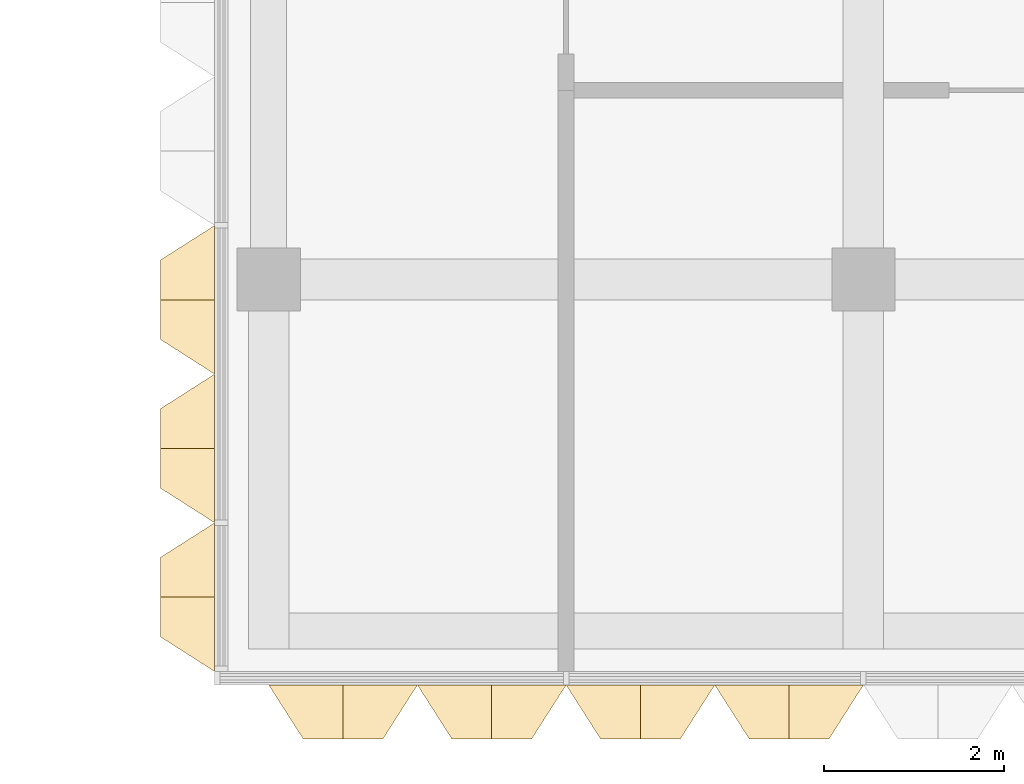
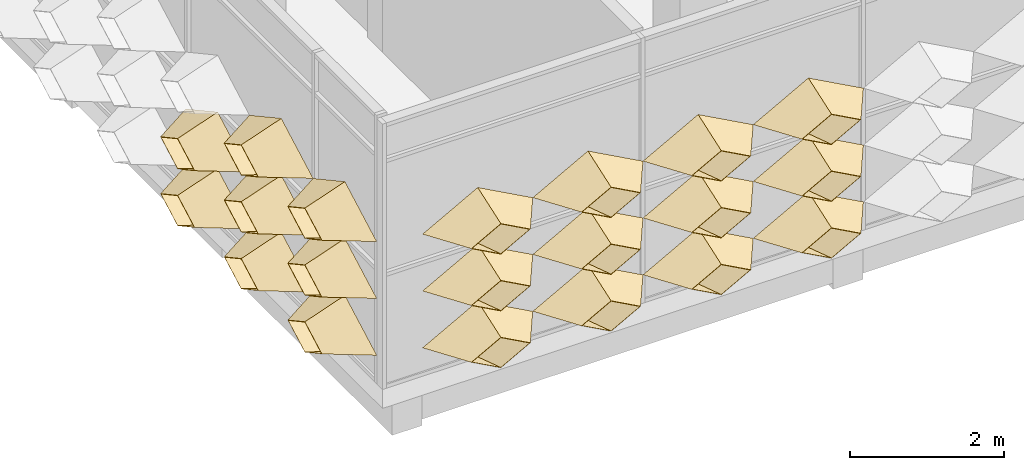
# One storey, part 31 of 61: 20 coverings.
"""IFC4 building model written with IfcOpenShell, lengths in metres."""

import ifcopenshell
import ifcopenshell.guid

model = None  # the IFC model being written
_history = None  # IfcOwnerHistory: only IFC2X3 demands one
_inside = {}  # id of a spatial element -> (the spatial element, [elements in it])
_under = {}  # id of a project, library or spatial element -> (it, [spatial elements below it])
_declared = {}  # id of a project -> (the project, [libraries it declares])
_typed = {}  # id of a type object -> (the type object, [elements of that type])
_made_of = {}  # id of a material, layer set ... -> (it, [elements and type objects made of it])


def new_model(schema):
    """Start an empty IFC model of exactly this schema.

    Asked for "IFC4X3", IfcOpenShell would pick the latest addendum, in which some entities
    have other attributes; the version numbers below select the first issue.
    IFC2X3 requires an IfcOwnerHistory on every rooted entity: one is made here for all.
    """
    global model, _history
    if schema == "IFC4X3":
        model = ifcopenshell.file(schema_version=(4, 3, 0, 0))
    else:
        model = ifcopenshell.file(schema=schema)
    _inside.clear()
    _under.clear()
    _declared.clear()
    _typed.clear()
    _made_of.clear()
    _history = None
    if model.schema == "IFC2X3":
        org = make("IfcOrganization", Name="unknown")
        user = make(
            "IfcPersonAndOrganization",
            ThePerson=make("IfcPerson", FamilyName="unknown"),
            TheOrganization=org,
        )
        app = make(
            "IfcApplication",
            ApplicationDeveloper=org,
            Version="unknown",
            ApplicationFullName="unknown",
            ApplicationIdentifier="unknown",
        )
        _history = make(
            "IfcOwnerHistory",
            OwningUser=user,
            OwningApplication=app,
            ChangeAction="ADDED",
            CreationDate=0,
        )
    return model


def make(cls, **values):
    """One entity of the class cls with the attributes given. An attribute that is None is left unset."""
    return model.create_entity(
        cls, **{name: value for name, value in values.items() if value is not None}
    )


def entity(cls, *values):
    """Any entity or typed value of the class cls, its attributes in the order of the schema. None: left unset."""
    e = model.create_entity(cls)
    for i, value in enumerate(values):
        if value is not None:
            e[i] = value
    return e


def rooted(cls, **values):
    """An entity with a GlobalId (a new one), such as an element, a storey or a relation."""
    return make(cls, GlobalId=ifcopenshell.guid.new(), OwnerHistory=_history, **values)


def si_unit(unit_type, name, prefix=None):
    """IfcSIUnit, for example si_unit("LENGTHUNIT", "METRE", prefix="MILLI")."""
    return make("IfcSIUnit", UnitType=unit_type, Prefix=prefix, Name=name)


def assignment(units):
    """IfcUnitAssignment: the units of a project."""
    return None if units is None else make("IfcUnitAssignment", Units=units)


def point(xyz):
    """IfcCartesianPoint."""
    return None if xyz is None else make("IfcCartesianPoint", Coordinates=xyz)


def direction(xyz):
    """IfcDirection."""
    return None if xyz is None else make("IfcDirection", DirectionRatios=xyz)


def frame(location, z_axis=None, x_axis=None):
    """IfcAxis2Placement3D, a coordinate frame: its origin and axes. An axis left out is left unset."""
    return make(
        "IfcAxis2Placement3D",
        Location=point(location),
        Axis=direction(z_axis),
        RefDirection=direction(x_axis),
    )


def origin():
    """The frame at (0, 0, 0) with its axes left unset."""
    return frame((0.0, 0.0, 0.0))


def place(relative_to, where):
    """IfcLocalPlacement: puts the frame where relative to a parent placement (None: the world)."""
    return make(
        "IfcLocalPlacement", PlacementRelTo=relative_to, RelativePlacement=where
    )


def context(
    kind, dimensions, precision=None, world=None, true_north=None, identifier=None
):
    """IfcGeometricRepresentationContext, for example the 3D "Model" context."""
    return make(
        "IfcGeometricRepresentationContext",
        ContextIdentifier=identifier,
        ContextType=kind,
        CoordinateSpaceDimension=dimensions,
        Precision=precision,
        WorldCoordinateSystem=world,
        TrueNorth=true_north,
    )


def subcontext(parent, identifier, kind, view, scale=None):
    """IfcGeometricRepresentationSubContext, for example "Body" below "Model"."""
    return make(
        "IfcGeometricRepresentationSubContext",
        ContextIdentifier=identifier,
        ContextType=kind,
        ParentContext=parent,
        TargetScale=scale,
        TargetView=view,
    )


def project(units=None, contexts=None):
    """IfcProject with its units and contexts."""
    return rooted(
        "IfcProject",
        Name="project",
        RepresentationContexts=contexts,
        UnitsInContext=assignment(units),
    )


def spatial(cls, under=None, at=None, **own):
    """A site, building, storey or space (cls), placed at a placement, below another one or the project."""
    s = rooted(cls, ObjectPlacement=at, **own)
    if under is not None:
        _under.setdefault(under.id(), (under, []))[1].append(s)
    return s


def shape(context_of_items, identifier, shape_type, items):
    """IfcShapeRepresentation: the items that make up one representation, for example the "Body"."""
    return make(
        "IfcShapeRepresentation",
        ContextOfItems=context_of_items,
        RepresentationIdentifier=identifier,
        RepresentationType=shape_type,
        Items=items,
    )


def material(Name=None, Category=None):
    """IfcMaterial."""
    return make("IfcMaterial", Name=Name, Category=Category)


def layer(
    of_material, thickness, ventilated=None, Name=None, Category=None, Priority=None
):
    """IfcMaterialLayer: one layer of a wall or slab, of a material (None: an air gap)."""
    return make(
        "IfcMaterialLayer",
        Material=of_material,
        LayerThickness=thickness,
        IsVentilated=ventilated,
        Name=Name,
        Category=Category,
        Priority=Priority,
    )


def layer_set(layers, Name=None):
    """IfcMaterialLayerSet."""
    return make("IfcMaterialLayerSet", MaterialLayers=layers, LayerSetName=Name)


def made_of(thing, what):
    """Note that an element or type object is made of a material, layer set ...; save() writes the relation."""
    if what is not None:
        _made_of.setdefault(what.id(), (what, []))[1].append(thing)
    return thing


def type_object(cls, material=None, **own):
    """A type object (cls), such as IfcWallType, which elements share."""
    return made_of(rooted(cls, **own), material)


def element(
    cls,
    number,
    at=None,
    inside=None,
    cuts=None,
    type_object=None,
    material=None,
    context=None,
    identifier="Body",
    shape_type=None,
    held_by="IfcProductDefinitionShape",
    body=None,
    shapes=None,
    **own,
):
    """One element of the class cls, such as IfcWall. Its Tag is "e" and its number.

    at: its placement. inside: the storey or other place that contains it. cuts: it is an
    opening in that element (IfcRelVoidsElement). A single representation is given by context,
    identifier, shape_type and body (its items); several are given by shapes. held_by: the class
    of the entity that holds the representations. save() writes the other relations.
    """
    e = rooted(cls, Tag="e%d" % number, ObjectPlacement=at, **own)
    if body is not None:
        shapes = [shape(context, identifier, shape_type, body)]
    if shapes is not None:
        e.Representation = make(held_by, Representations=shapes)
    if inside is not None:
        _inside.setdefault(inside.id(), (inside, []))[1].append(e)
    if cuts is not None:
        rooted(
            "IfcRelVoidsElement", RelatingBuildingElement=cuts, RelatedOpeningElement=e
        )
    if type_object is not None:
        _typed.setdefault(type_object.id(), (type_object, []))[1].append(e)
    return made_of(e, material)


def aggregate(whole, parts):
    """IfcRelAggregates: a whole, such as a stair, and the parts it consists of."""
    return rooted("IfcRelAggregates", RelatingObject=whole, RelatedObjects=parts)


def save(model, path):
    """Write the relations noted so far, then the file.

    IfcRelAggregates (storeys below a building ...), IfcRelContainedInSpatialStructure (elements
    in a storey), IfcRelDefinesByType, IfcRelAssociatesMaterial and IfcRelDeclares: one each for
    every whole, place, type object, material and project.
    """
    for whole, parts in _under.values():
        aggregate(whole, parts)
    for where, things in _inside.values():
        rooted(
            "IfcRelContainedInSpatialStructure",
            RelatedElements=things,
            RelatingStructure=where,
        )
    for kind, things in _typed.values():
        rooted("IfcRelDefinesByType", RelatedObjects=things, RelatingType=kind)
    for what, things in _made_of.values():
        rooted("IfcRelAssociatesMaterial", RelatedObjects=things, RelatingMaterial=what)
    for by, libraries in _declared.values():
        rooted("IfcRelDeclares", RelatingContext=by, RelatedDefinitions=libraries)
    model.write(path)


model = new_model("IFC4")

# Units and contexts
model_context = context("Model", 3, precision=1e-05, world=origin(), true_north=direction((0.0, 1.0)))
body_context = subcontext(model_context, "Body", "Model", "MODEL_VIEW")
ifc_project = project(units=[si_unit("LENGTHUNIT", "METRE"), si_unit("AREAUNIT", "SQUARE_METRE"), si_unit("VOLUMEUNIT", "CUBIC_METRE"), si_unit("PLANEANGLEUNIT", "RADIAN"), si_unit("MASSUNIT", "GRAM", prefix="KILO")], contexts=[model_context])

# Site, building, storey
site_placement = place(None, origin())
site = spatial("IfcSite", under=ifc_project, at=site_placement, CompositionType="ELEMENT")
building_placement = place(site_placement, origin())
building = spatial("IfcBuilding", under=site, at=building_placement, Name="Lantern Court Research Institute", CompositionType="ELEMENT")
storey_placement = place(building_placement, frame((0.0, 0.0, 23.39990234375)))
storey = spatial("IfcBuildingStorey", under=building, at=storey_placement, Name="L05", CompositionType="ELEMENT", Elevation=23.39990234375)

# Coverings
ifc_material = material(Name="Anodised aluminium", Category="aluminium")
ifc_layer = layer(ifc_material, 0.01611328125)
ifc_layer_set = layer_set([ifc_layer], Name="Anodised aluminium")
covering_type = type_object("IfcCoveringType", Name="Fin cassette 1650 x 900 x 600 aluminium", PredefinedType="CLADDING", material=ifc_layer_set)
covering_1_placement = place(storey_placement, frame((0.824951171875, -8.39990234375, 0.4501953125), z_axis=(0.0, -1.0, 0.0), x_axis=(1.0, 0.0, 0.0)))
cartesian_point_1 = entity("IfcCartesianPoint", [0.824951171875, 0.0])
cartesian_point_2 = entity("IfcCartesianPoint", [0.79150390625, 0.0])
cartesian_point_3 = entity("IfcCartesianPoint", [0.44189453125, 0.0])
cartesian_point_4 = entity("IfcCartesianPoint", [0.43359375, 0.0])
element("IfcCovering", 1, at=covering_1_placement, inside=storey, type_object=covering_type, Name="Fin cassette V4S-L05 1.1", PredefinedType="CLADDING", context=body_context, shape_type="SweptSolid", body=[
    entity("IfcExtrudedAreaSolidTapered", entity("IfcArbitraryProfileDefWithVoids", "AREA", None, entity("IfcPolyline", [cartesian_point_1, entity("IfcCartesianPoint", [0.0, 0.449951171875]), entity("IfcCartesianPoint", [-0.824951171875, 0.0]), entity("IfcCartesianPoint", [0.0, -0.449951171875]), cartesian_point_1]), [entity("IfcPolyline", [cartesian_point_2, entity("IfcCartesianPoint", [0.0, 0.431884765625]), entity("IfcCartesianPoint", [-0.79150390625, 0.0]), entity("IfcCartesianPoint", [0.0, -0.431884765625]), cartesian_point_2])]), entity("IfcAxis2Placement3D", entity("IfcCartesianPoint", [0.0, 0.0, 0.0])), entity("IfcDirection", [0.0, 0.0, 1.0]), 0.60009765625, entity("IfcArbitraryProfileDefWithVoids", "AREA", None, entity("IfcPolyline", [cartesian_point_3, entity("IfcCartesianPoint", [0.0, 0.240966796875]), entity("IfcCartesianPoint", [-0.44189453125, 0.0]), entity("IfcCartesianPoint", [0.0, -0.240966796875]), cartesian_point_3]), [entity("IfcPolyline", [cartesian_point_4, entity("IfcCartesianPoint", [0.0, 0.236572265625]), entity("IfcCartesianPoint", [-0.43359375, 0.0]), entity("IfcCartesianPoint", [0.0, -0.236572265625]), cartesian_point_4])])),
])
covering_2_placement = place(storey_placement, frame((2.47509765625, -8.39990234375, 0.4501953125), z_axis=(0.0, -1.0, 0.0), x_axis=(1.0, 0.0, 0.0)))
cartesian_point_5 = entity("IfcCartesianPoint", [0.824951171875, 0.0])
cartesian_point_6 = entity("IfcCartesianPoint", [0.79150390625, 0.0])
cartesian_point_7 = entity("IfcCartesianPoint", [0.44189453125, 0.0])
cartesian_point_8 = entity("IfcCartesianPoint", [0.43359375, 0.0])
element("IfcCovering", 2, at=covering_2_placement, inside=storey, type_object=covering_type, Name="Fin cassette V4S-L05 1.2", PredefinedType="CLADDING", context=body_context, shape_type="SweptSolid", body=[
    entity("IfcExtrudedAreaSolidTapered", entity("IfcArbitraryProfileDefWithVoids", "AREA", None, entity("IfcPolyline", [cartesian_point_5, entity("IfcCartesianPoint", [0.0, 0.449951171875]), entity("IfcCartesianPoint", [-0.824951171875, 0.0]), entity("IfcCartesianPoint", [0.0, -0.449951171875]), cartesian_point_5]), [entity("IfcPolyline", [cartesian_point_6, entity("IfcCartesianPoint", [0.0, 0.431884765625]), entity("IfcCartesianPoint", [-0.79150390625, 0.0]), entity("IfcCartesianPoint", [0.0, -0.431884765625]), cartesian_point_6])]), entity("IfcAxis2Placement3D", entity("IfcCartesianPoint", [0.0, 0.0, 0.0])), entity("IfcDirection", [0.0, 0.0, 1.0]), 0.60009765625, entity("IfcArbitraryProfileDefWithVoids", "AREA", None, entity("IfcPolyline", [cartesian_point_7, entity("IfcCartesianPoint", [0.0, 0.240966796875]), entity("IfcCartesianPoint", [-0.44189453125, 0.0]), entity("IfcCartesianPoint", [0.0, -0.240966796875]), cartesian_point_7]), [entity("IfcPolyline", [cartesian_point_8, entity("IfcCartesianPoint", [0.0, 0.236572265625]), entity("IfcCartesianPoint", [-0.43359375, 0.0]), entity("IfcCartesianPoint", [0.0, -0.236572265625]), cartesian_point_8])])),
])
covering_3_placement = place(storey_placement, frame((4.125, -8.39990234375, 0.4501953125), z_axis=(0.0, -1.0, 0.0), x_axis=(1.0, 0.0, 0.0)))
cartesian_point_9 = entity("IfcCartesianPoint", [0.824951171875, 0.0])
cartesian_point_10 = entity("IfcCartesianPoint", [0.79150390625, 0.0])
cartesian_point_11 = entity("IfcCartesianPoint", [0.44189453125, 0.0])
cartesian_point_12 = entity("IfcCartesianPoint", [0.43359375, 0.0])
element("IfcCovering", 3, at=covering_3_placement, inside=storey, type_object=covering_type, Name="Fin cassette V4S-L05 1.3", PredefinedType="CLADDING", context=body_context, shape_type="SweptSolid", body=[
    entity("IfcExtrudedAreaSolidTapered", entity("IfcArbitraryProfileDefWithVoids", "AREA", None, entity("IfcPolyline", [cartesian_point_9, entity("IfcCartesianPoint", [0.0, 0.449951171875]), entity("IfcCartesianPoint", [-0.824951171875, 0.0]), entity("IfcCartesianPoint", [0.0, -0.449951171875]), cartesian_point_9]), [entity("IfcPolyline", [cartesian_point_10, entity("IfcCartesianPoint", [0.0, 0.431884765625]), entity("IfcCartesianPoint", [-0.79150390625, 0.0]), entity("IfcCartesianPoint", [0.0, -0.431884765625]), cartesian_point_10])]), entity("IfcAxis2Placement3D", entity("IfcCartesianPoint", [0.0, 0.0, 0.0])), entity("IfcDirection", [0.0, 0.0, 1.0]), 0.60009765625, entity("IfcArbitraryProfileDefWithVoids", "AREA", None, entity("IfcPolyline", [cartesian_point_11, entity("IfcCartesianPoint", [0.0, 0.240966796875]), entity("IfcCartesianPoint", [-0.44189453125, 0.0]), entity("IfcCartesianPoint", [0.0, -0.240966796875]), cartesian_point_11]), [entity("IfcPolyline", [cartesian_point_12, entity("IfcCartesianPoint", [0.0, 0.236572265625]), entity("IfcCartesianPoint", [-0.43359375, 0.0]), entity("IfcCartesianPoint", [0.0, -0.236572265625]), cartesian_point_12])])),
])
covering_4_placement = place(storey_placement, frame((5.77490234375, -8.39990234375, 0.4501953125), z_axis=(0.0, -1.0, 0.0), x_axis=(1.0, 0.0, 0.0)))
cartesian_point_13 = entity("IfcCartesianPoint", [0.824951171875, 0.0])
cartesian_point_14 = entity("IfcCartesianPoint", [0.79150390625, 0.0])
cartesian_point_15 = entity("IfcCartesianPoint", [0.44189453125, 0.0])
cartesian_point_16 = entity("IfcCartesianPoint", [0.43359375, 0.0])
element("IfcCovering", 4, at=covering_4_placement, inside=storey, type_object=covering_type, Name="Fin cassette V4S-L05 1.4", PredefinedType="CLADDING", context=body_context, shape_type="SweptSolid", body=[
    entity("IfcExtrudedAreaSolidTapered", entity("IfcArbitraryProfileDefWithVoids", "AREA", None, entity("IfcPolyline", [cartesian_point_13, entity("IfcCartesianPoint", [0.0, 0.449951171875]), entity("IfcCartesianPoint", [-0.824951171875, 0.0]), entity("IfcCartesianPoint", [0.0, -0.449951171875]), cartesian_point_13]), [entity("IfcPolyline", [cartesian_point_14, entity("IfcCartesianPoint", [0.0, 0.431884765625]), entity("IfcCartesianPoint", [-0.79150390625, 0.0]), entity("IfcCartesianPoint", [0.0, -0.431884765625]), cartesian_point_14])]), entity("IfcAxis2Placement3D", entity("IfcCartesianPoint", [0.0, 0.0, 0.0])), entity("IfcDirection", [0.0, 0.0, 1.0]), 0.60009765625, entity("IfcArbitraryProfileDefWithVoids", "AREA", None, entity("IfcPolyline", [cartesian_point_15, entity("IfcCartesianPoint", [0.0, 0.240966796875]), entity("IfcCartesianPoint", [-0.44189453125, 0.0]), entity("IfcCartesianPoint", [0.0, -0.240966796875]), cartesian_point_15]), [entity("IfcPolyline", [cartesian_point_16, entity("IfcCartesianPoint", [0.0, 0.236572265625]), entity("IfcCartesianPoint", [-0.43359375, 0.0]), entity("IfcCartesianPoint", [0.0, -0.236572265625]), cartesian_point_16])])),
])
covering_5_placement = place(storey_placement, frame((0.824951171875, -8.39990234375, 1.35009765625), z_axis=(0.0, -1.0, 0.0), x_axis=(1.0, 0.0, 0.0)))
cartesian_point_17 = entity("IfcCartesianPoint", [0.824951171875, 0.0])
cartesian_point_18 = entity("IfcCartesianPoint", [0.79150390625, 0.0])
cartesian_point_19 = entity("IfcCartesianPoint", [0.44189453125, 0.0])
cartesian_point_20 = entity("IfcCartesianPoint", [0.43359375, 0.0])
element("IfcCovering", 5, at=covering_5_placement, inside=storey, type_object=covering_type, Name="Fin cassette V4S-L05 2.1", PredefinedType="CLADDING", context=body_context, shape_type="SweptSolid", body=[
    entity("IfcExtrudedAreaSolidTapered", entity("IfcArbitraryProfileDefWithVoids", "AREA", None, entity("IfcPolyline", [cartesian_point_17, entity("IfcCartesianPoint", [0.0, 0.449951171875]), entity("IfcCartesianPoint", [-0.824951171875, 0.0]), entity("IfcCartesianPoint", [0.0, -0.449951171875]), cartesian_point_17]), [entity("IfcPolyline", [cartesian_point_18, entity("IfcCartesianPoint", [0.0, 0.431884765625]), entity("IfcCartesianPoint", [-0.79150390625, 0.0]), entity("IfcCartesianPoint", [0.0, -0.431884765625]), cartesian_point_18])]), entity("IfcAxis2Placement3D", entity("IfcCartesianPoint", [0.0, 0.0, 0.0])), entity("IfcDirection", [0.0, 0.0, 1.0]), 0.60009765625, entity("IfcArbitraryProfileDefWithVoids", "AREA", None, entity("IfcPolyline", [cartesian_point_19, entity("IfcCartesianPoint", [0.0, 0.240966796875]), entity("IfcCartesianPoint", [-0.44189453125, 0.0]), entity("IfcCartesianPoint", [0.0, -0.240966796875]), cartesian_point_19]), [entity("IfcPolyline", [cartesian_point_20, entity("IfcCartesianPoint", [0.0, 0.236572265625]), entity("IfcCartesianPoint", [-0.43359375, 0.0]), entity("IfcCartesianPoint", [0.0, -0.236572265625]), cartesian_point_20])])),
])
covering_6_placement = place(storey_placement, frame((2.47509765625, -8.39990234375, 1.35009765625), z_axis=(0.0, -1.0, 0.0), x_axis=(1.0, 0.0, 0.0)))
cartesian_point_21 = entity("IfcCartesianPoint", [0.824951171875, 0.0])
cartesian_point_22 = entity("IfcCartesianPoint", [0.79150390625, 0.0])
cartesian_point_23 = entity("IfcCartesianPoint", [0.44189453125, 0.0])
cartesian_point_24 = entity("IfcCartesianPoint", [0.43359375, 0.0])
element("IfcCovering", 6, at=covering_6_placement, inside=storey, type_object=covering_type, Name="Fin cassette V4S-L05 2.2", PredefinedType="CLADDING", context=body_context, shape_type="SweptSolid", body=[
    entity("IfcExtrudedAreaSolidTapered", entity("IfcArbitraryProfileDefWithVoids", "AREA", None, entity("IfcPolyline", [cartesian_point_21, entity("IfcCartesianPoint", [0.0, 0.449951171875]), entity("IfcCartesianPoint", [-0.824951171875, 0.0]), entity("IfcCartesianPoint", [0.0, -0.449951171875]), cartesian_point_21]), [entity("IfcPolyline", [cartesian_point_22, entity("IfcCartesianPoint", [0.0, 0.431884765625]), entity("IfcCartesianPoint", [-0.79150390625, 0.0]), entity("IfcCartesianPoint", [0.0, -0.431884765625]), cartesian_point_22])]), entity("IfcAxis2Placement3D", entity("IfcCartesianPoint", [0.0, 0.0, 0.0])), entity("IfcDirection", [0.0, 0.0, 1.0]), 0.60009765625, entity("IfcArbitraryProfileDefWithVoids", "AREA", None, entity("IfcPolyline", [cartesian_point_23, entity("IfcCartesianPoint", [0.0, 0.240966796875]), entity("IfcCartesianPoint", [-0.44189453125, 0.0]), entity("IfcCartesianPoint", [0.0, -0.240966796875]), cartesian_point_23]), [entity("IfcPolyline", [cartesian_point_24, entity("IfcCartesianPoint", [0.0, 0.236572265625]), entity("IfcCartesianPoint", [-0.43359375, 0.0]), entity("IfcCartesianPoint", [0.0, -0.236572265625]), cartesian_point_24])])),
])
covering_7_placement = place(storey_placement, frame((4.125, -8.39990234375, 1.35009765625), z_axis=(0.0, -1.0, 0.0), x_axis=(1.0, 0.0, 0.0)))
cartesian_point_25 = entity("IfcCartesianPoint", [0.824951171875, 0.0])
cartesian_point_26 = entity("IfcCartesianPoint", [0.79150390625, 0.0])
cartesian_point_27 = entity("IfcCartesianPoint", [0.44189453125, 0.0])
cartesian_point_28 = entity("IfcCartesianPoint", [0.43359375, 0.0])
element("IfcCovering", 7, at=covering_7_placement, inside=storey, type_object=covering_type, Name="Fin cassette V4S-L05 2.3", PredefinedType="CLADDING", context=body_context, shape_type="SweptSolid", body=[
    entity("IfcExtrudedAreaSolidTapered", entity("IfcArbitraryProfileDefWithVoids", "AREA", None, entity("IfcPolyline", [cartesian_point_25, entity("IfcCartesianPoint", [0.0, 0.449951171875]), entity("IfcCartesianPoint", [-0.824951171875, 0.0]), entity("IfcCartesianPoint", [0.0, -0.449951171875]), cartesian_point_25]), [entity("IfcPolyline", [cartesian_point_26, entity("IfcCartesianPoint", [0.0, 0.431884765625]), entity("IfcCartesianPoint", [-0.79150390625, 0.0]), entity("IfcCartesianPoint", [0.0, -0.431884765625]), cartesian_point_26])]), entity("IfcAxis2Placement3D", entity("IfcCartesianPoint", [0.0, 0.0, 0.0])), entity("IfcDirection", [0.0, 0.0, 1.0]), 0.60009765625, entity("IfcArbitraryProfileDefWithVoids", "AREA", None, entity("IfcPolyline", [cartesian_point_27, entity("IfcCartesianPoint", [0.0, 0.240966796875]), entity("IfcCartesianPoint", [-0.44189453125, 0.0]), entity("IfcCartesianPoint", [0.0, -0.240966796875]), cartesian_point_27]), [entity("IfcPolyline", [cartesian_point_28, entity("IfcCartesianPoint", [0.0, 0.236572265625]), entity("IfcCartesianPoint", [-0.43359375, 0.0]), entity("IfcCartesianPoint", [0.0, -0.236572265625]), cartesian_point_28])])),
])
covering_8_placement = place(storey_placement, frame((5.77490234375, -8.39990234375, 1.35009765625), z_axis=(0.0, -1.0, 0.0), x_axis=(1.0, 0.0, 0.0)))
cartesian_point_29 = entity("IfcCartesianPoint", [0.824951171875, 0.0])
cartesian_point_30 = entity("IfcCartesianPoint", [0.79150390625, 0.0])
cartesian_point_31 = entity("IfcCartesianPoint", [0.44189453125, 0.0])
cartesian_point_32 = entity("IfcCartesianPoint", [0.43359375, 0.0])
element("IfcCovering", 8, at=covering_8_placement, inside=storey, type_object=covering_type, Name="Fin cassette V4S-L05 2.4", PredefinedType="CLADDING", context=body_context, shape_type="SweptSolid", body=[
    entity("IfcExtrudedAreaSolidTapered", entity("IfcArbitraryProfileDefWithVoids", "AREA", None, entity("IfcPolyline", [cartesian_point_29, entity("IfcCartesianPoint", [0.0, 0.449951171875]), entity("IfcCartesianPoint", [-0.824951171875, 0.0]), entity("IfcCartesianPoint", [0.0, -0.449951171875]), cartesian_point_29]), [entity("IfcPolyline", [cartesian_point_30, entity("IfcCartesianPoint", [0.0, 0.431884765625]), entity("IfcCartesianPoint", [-0.79150390625, 0.0]), entity("IfcCartesianPoint", [0.0, -0.431884765625]), cartesian_point_30])]), entity("IfcAxis2Placement3D", entity("IfcCartesianPoint", [0.0, 0.0, 0.0])), entity("IfcDirection", [0.0, 0.0, 1.0]), 0.60009765625, entity("IfcArbitraryProfileDefWithVoids", "AREA", None, entity("IfcPolyline", [cartesian_point_31, entity("IfcCartesianPoint", [0.0, 0.240966796875]), entity("IfcCartesianPoint", [-0.44189453125, 0.0]), entity("IfcCartesianPoint", [0.0, -0.240966796875]), cartesian_point_31]), [entity("IfcPolyline", [cartesian_point_32, entity("IfcCartesianPoint", [0.0, 0.236572265625]), entity("IfcCartesianPoint", [-0.43359375, 0.0]), entity("IfcCartesianPoint", [0.0, -0.236572265625]), cartesian_point_32])])),
])
covering_9_placement = place(storey_placement, frame((0.824951171875, -8.39990234375, 2.25), z_axis=(0.0, -1.0, 0.0), x_axis=(1.0, 0.0, 0.0)))
cartesian_point_33 = entity("IfcCartesianPoint", [0.824951171875, 0.0])
cartesian_point_34 = entity("IfcCartesianPoint", [0.79150390625, 0.0])
cartesian_point_35 = entity("IfcCartesianPoint", [0.44189453125, 0.0])
cartesian_point_36 = entity("IfcCartesianPoint", [0.43359375, 0.0])
element("IfcCovering", 9, at=covering_9_placement, inside=storey, type_object=covering_type, Name="Fin cassette V4S-L05 3.1", PredefinedType="CLADDING", context=body_context, shape_type="SweptSolid", body=[
    entity("IfcExtrudedAreaSolidTapered", entity("IfcArbitraryProfileDefWithVoids", "AREA", None, entity("IfcPolyline", [cartesian_point_33, entity("IfcCartesianPoint", [0.0, 0.449951171875]), entity("IfcCartesianPoint", [-0.824951171875, 0.0]), entity("IfcCartesianPoint", [0.0, -0.449951171875]), cartesian_point_33]), [entity("IfcPolyline", [cartesian_point_34, entity("IfcCartesianPoint", [0.0, 0.431884765625]), entity("IfcCartesianPoint", [-0.79150390625, 0.0]), entity("IfcCartesianPoint", [0.0, -0.431884765625]), cartesian_point_34])]), entity("IfcAxis2Placement3D", entity("IfcCartesianPoint", [0.0, 0.0, 0.0])), entity("IfcDirection", [0.0, 0.0, 1.0]), 0.60009765625, entity("IfcArbitraryProfileDefWithVoids", "AREA", None, entity("IfcPolyline", [cartesian_point_35, entity("IfcCartesianPoint", [0.0, 0.240966796875]), entity("IfcCartesianPoint", [-0.44189453125, 0.0]), entity("IfcCartesianPoint", [0.0, -0.240966796875]), cartesian_point_35]), [entity("IfcPolyline", [cartesian_point_36, entity("IfcCartesianPoint", [0.0, 0.236572265625]), entity("IfcCartesianPoint", [-0.43359375, 0.0]), entity("IfcCartesianPoint", [0.0, -0.236572265625]), cartesian_point_36])])),
])
covering_10_placement = place(storey_placement, frame((2.47509765625, -8.39990234375, 2.25), z_axis=(0.0, -1.0, 0.0), x_axis=(1.0, 0.0, 0.0)))
cartesian_point_37 = entity("IfcCartesianPoint", [0.824951171875, 0.0])
cartesian_point_38 = entity("IfcCartesianPoint", [0.79150390625, 0.0])
cartesian_point_39 = entity("IfcCartesianPoint", [0.44189453125, 0.0])
cartesian_point_40 = entity("IfcCartesianPoint", [0.43359375, 0.0])
element("IfcCovering", 10, at=covering_10_placement, inside=storey, type_object=covering_type, Name="Fin cassette V4S-L05 3.2", PredefinedType="CLADDING", context=body_context, shape_type="SweptSolid", body=[
    entity("IfcExtrudedAreaSolidTapered", entity("IfcArbitraryProfileDefWithVoids", "AREA", None, entity("IfcPolyline", [cartesian_point_37, entity("IfcCartesianPoint", [0.0, 0.449951171875]), entity("IfcCartesianPoint", [-0.824951171875, 0.0]), entity("IfcCartesianPoint", [0.0, -0.449951171875]), cartesian_point_37]), [entity("IfcPolyline", [cartesian_point_38, entity("IfcCartesianPoint", [0.0, 0.431884765625]), entity("IfcCartesianPoint", [-0.79150390625, 0.0]), entity("IfcCartesianPoint", [0.0, -0.431884765625]), cartesian_point_38])]), entity("IfcAxis2Placement3D", entity("IfcCartesianPoint", [0.0, 0.0, 0.0])), entity("IfcDirection", [0.0, 0.0, 1.0]), 0.60009765625, entity("IfcArbitraryProfileDefWithVoids", "AREA", None, entity("IfcPolyline", [cartesian_point_39, entity("IfcCartesianPoint", [0.0, 0.240966796875]), entity("IfcCartesianPoint", [-0.44189453125, 0.0]), entity("IfcCartesianPoint", [0.0, -0.240966796875]), cartesian_point_39]), [entity("IfcPolyline", [cartesian_point_40, entity("IfcCartesianPoint", [0.0, 0.236572265625]), entity("IfcCartesianPoint", [-0.43359375, 0.0]), entity("IfcCartesianPoint", [0.0, -0.236572265625]), cartesian_point_40])])),
])
covering_11_placement = place(storey_placement, frame((4.125, -8.39990234375, 2.25), z_axis=(0.0, -1.0, 0.0), x_axis=(1.0, 0.0, 0.0)))
cartesian_point_41 = entity("IfcCartesianPoint", [0.824951171875, 0.0])
cartesian_point_42 = entity("IfcCartesianPoint", [0.79150390625, 0.0])
cartesian_point_43 = entity("IfcCartesianPoint", [0.44189453125, 0.0])
cartesian_point_44 = entity("IfcCartesianPoint", [0.43359375, 0.0])
element("IfcCovering", 11, at=covering_11_placement, inside=storey, type_object=covering_type, Name="Fin cassette V4S-L05 3.3", PredefinedType="CLADDING", context=body_context, shape_type="SweptSolid", body=[
    entity("IfcExtrudedAreaSolidTapered", entity("IfcArbitraryProfileDefWithVoids", "AREA", None, entity("IfcPolyline", [cartesian_point_41, entity("IfcCartesianPoint", [0.0, 0.449951171875]), entity("IfcCartesianPoint", [-0.824951171875, 0.0]), entity("IfcCartesianPoint", [0.0, -0.449951171875]), cartesian_point_41]), [entity("IfcPolyline", [cartesian_point_42, entity("IfcCartesianPoint", [0.0, 0.431884765625]), entity("IfcCartesianPoint", [-0.79150390625, 0.0]), entity("IfcCartesianPoint", [0.0, -0.431884765625]), cartesian_point_42])]), entity("IfcAxis2Placement3D", entity("IfcCartesianPoint", [0.0, 0.0, 0.0])), entity("IfcDirection", [0.0, 0.0, 1.0]), 0.60009765625, entity("IfcArbitraryProfileDefWithVoids", "AREA", None, entity("IfcPolyline", [cartesian_point_43, entity("IfcCartesianPoint", [0.0, 0.240966796875]), entity("IfcCartesianPoint", [-0.44189453125, 0.0]), entity("IfcCartesianPoint", [0.0, -0.240966796875]), cartesian_point_43]), [entity("IfcPolyline", [cartesian_point_44, entity("IfcCartesianPoint", [0.0, 0.236572265625]), entity("IfcCartesianPoint", [-0.43359375, 0.0]), entity("IfcCartesianPoint", [0.0, -0.236572265625]), cartesian_point_44])])),
])
covering_12_placement = place(storey_placement, frame((5.77490234375, -8.39990234375, 2.25), z_axis=(0.0, -1.0, 0.0), x_axis=(1.0, 0.0, 0.0)))
cartesian_point_45 = entity("IfcCartesianPoint", [0.824951171875, 0.0])
cartesian_point_46 = entity("IfcCartesianPoint", [0.79150390625, 0.0])
cartesian_point_47 = entity("IfcCartesianPoint", [0.44189453125, 0.0])
cartesian_point_48 = entity("IfcCartesianPoint", [0.43359375, 0.0])
element("IfcCovering", 12, at=covering_12_placement, inside=storey, type_object=covering_type, Name="Fin cassette V4S-L05 3.4", PredefinedType="CLADDING", context=body_context, shape_type="SweptSolid", body=[
    entity("IfcExtrudedAreaSolidTapered", entity("IfcArbitraryProfileDefWithVoids", "AREA", None, entity("IfcPolyline", [cartesian_point_45, entity("IfcCartesianPoint", [0.0, 0.449951171875]), entity("IfcCartesianPoint", [-0.824951171875, 0.0]), entity("IfcCartesianPoint", [0.0, -0.449951171875]), cartesian_point_45]), [entity("IfcPolyline", [cartesian_point_46, entity("IfcCartesianPoint", [0.0, 0.431884765625]), entity("IfcCartesianPoint", [-0.79150390625, 0.0]), entity("IfcCartesianPoint", [0.0, -0.431884765625]), cartesian_point_46])]), entity("IfcAxis2Placement3D", entity("IfcCartesianPoint", [0.0, 0.0, 0.0])), entity("IfcDirection", [0.0, 0.0, 1.0]), 0.60009765625, entity("IfcArbitraryProfileDefWithVoids", "AREA", None, entity("IfcPolyline", [cartesian_point_47, entity("IfcCartesianPoint", [0.0, 0.240966796875]), entity("IfcCartesianPoint", [-0.44189453125, 0.0]), entity("IfcCartesianPoint", [0.0, -0.240966796875]), cartesian_point_47]), [entity("IfcPolyline", [cartesian_point_48, entity("IfcCartesianPoint", [0.0, 0.236572265625]), entity("IfcCartesianPoint", [-0.43359375, 0.0]), entity("IfcCartesianPoint", [0.0, -0.236572265625]), cartesian_point_48])])),
])
covering_13_placement = place(storey_placement, frame((-0.60009765625, -7.425048828125, 0.4501953125), z_axis=(-1.0, 0.0, 0.0), x_axis=(0.0, -1.0, 0.0)))
cartesian_point_49 = entity("IfcCartesianPoint", [0.824951171875, 0.0])
cartesian_point_50 = entity("IfcCartesianPoint", [0.79150390625, 0.0])
cartesian_point_51 = entity("IfcCartesianPoint", [0.44189453125, 0.0])
cartesian_point_52 = entity("IfcCartesianPoint", [0.43359375, 0.0])
element("IfcCovering", 13, at=covering_13_placement, inside=storey, type_object=covering_type, Name="Fin cassette V4W-L05 1.-4", PredefinedType="CLADDING", context=body_context, shape_type="SweptSolid", body=[
    entity("IfcExtrudedAreaSolidTapered", entity("IfcArbitraryProfileDefWithVoids", "AREA", None, entity("IfcPolyline", [cartesian_point_49, entity("IfcCartesianPoint", [0.0, 0.449951171875]), entity("IfcCartesianPoint", [-0.824951171875, 0.0]), entity("IfcCartesianPoint", [0.0, -0.449951171875]), cartesian_point_49]), [entity("IfcPolyline", [cartesian_point_50, entity("IfcCartesianPoint", [0.0, 0.431884765625]), entity("IfcCartesianPoint", [-0.79150390625, 0.0]), entity("IfcCartesianPoint", [0.0, -0.431884765625]), cartesian_point_50])]), entity("IfcAxis2Placement3D", entity("IfcCartesianPoint", [0.0, 0.0, 0.0])), entity("IfcDirection", [0.0, 0.0, 1.0]), 0.60009765625, entity("IfcArbitraryProfileDefWithVoids", "AREA", None, entity("IfcPolyline", [cartesian_point_51, entity("IfcCartesianPoint", [0.0, 0.240966796875]), entity("IfcCartesianPoint", [-0.44189453125, 0.0]), entity("IfcCartesianPoint", [0.0, -0.240966796875]), cartesian_point_51]), [entity("IfcPolyline", [cartesian_point_52, entity("IfcCartesianPoint", [0.0, 0.236572265625]), entity("IfcCartesianPoint", [-0.43359375, 0.0]), entity("IfcCartesianPoint", [0.0, -0.236572265625]), cartesian_point_52])])),
])
covering_14_placement = place(storey_placement, frame((-0.60009765625, -5.77490234375, 0.4501953125), z_axis=(-1.0, 0.0, 0.0), x_axis=(0.0, -1.0, 0.0)))
cartesian_point_53 = entity("IfcCartesianPoint", [0.824951171875, 0.0])
cartesian_point_54 = entity("IfcCartesianPoint", [0.79150390625, 0.0])
cartesian_point_55 = entity("IfcCartesianPoint", [0.44189453125, 0.0])
cartesian_point_56 = entity("IfcCartesianPoint", [0.43359375, 0.0])
element("IfcCovering", 14, at=covering_14_placement, inside=storey, type_object=covering_type, Name="Fin cassette V4W-L05 1.-3", PredefinedType="CLADDING", context=body_context, shape_type="SweptSolid", body=[
    entity("IfcExtrudedAreaSolidTapered", entity("IfcArbitraryProfileDefWithVoids", "AREA", None, entity("IfcPolyline", [cartesian_point_53, entity("IfcCartesianPoint", [0.0, 0.449951171875]), entity("IfcCartesianPoint", [-0.824951171875, 0.0]), entity("IfcCartesianPoint", [0.0, -0.449951171875]), cartesian_point_53]), [entity("IfcPolyline", [cartesian_point_54, entity("IfcCartesianPoint", [0.0, 0.431884765625]), entity("IfcCartesianPoint", [-0.79150390625, 0.0]), entity("IfcCartesianPoint", [0.0, -0.431884765625]), cartesian_point_54])]), entity("IfcAxis2Placement3D", entity("IfcCartesianPoint", [0.0, 0.0, 0.0])), entity("IfcDirection", [0.0, 0.0, 1.0]), 0.60009765625, entity("IfcArbitraryProfileDefWithVoids", "AREA", None, entity("IfcPolyline", [cartesian_point_55, entity("IfcCartesianPoint", [0.0, 0.240966796875]), entity("IfcCartesianPoint", [-0.44189453125, 0.0]), entity("IfcCartesianPoint", [0.0, -0.240966796875]), cartesian_point_55]), [entity("IfcPolyline", [cartesian_point_56, entity("IfcCartesianPoint", [0.0, 0.236572265625]), entity("IfcCartesianPoint", [-0.43359375, 0.0]), entity("IfcCartesianPoint", [0.0, -0.236572265625]), cartesian_point_56])])),
])
covering_15_placement = place(storey_placement, frame((-0.60009765625, -4.125, 0.4501953125), z_axis=(-1.0, 0.0, 0.0), x_axis=(0.0, -1.0, 0.0)))
cartesian_point_57 = entity("IfcCartesianPoint", [0.824951171875, 0.0])
cartesian_point_58 = entity("IfcCartesianPoint", [0.79150390625, 0.0])
cartesian_point_59 = entity("IfcCartesianPoint", [0.44189453125, 0.0])
cartesian_point_60 = entity("IfcCartesianPoint", [0.43359375, 0.0])
element("IfcCovering", 15, at=covering_15_placement, inside=storey, type_object=covering_type, Name="Fin cassette V4W-L05 1.-2", PredefinedType="CLADDING", context=body_context, shape_type="SweptSolid", body=[
    entity("IfcExtrudedAreaSolidTapered", entity("IfcArbitraryProfileDefWithVoids", "AREA", None, entity("IfcPolyline", [cartesian_point_57, entity("IfcCartesianPoint", [0.0, 0.449951171875]), entity("IfcCartesianPoint", [-0.824951171875, 0.0]), entity("IfcCartesianPoint", [0.0, -0.449951171875]), cartesian_point_57]), [entity("IfcPolyline", [cartesian_point_58, entity("IfcCartesianPoint", [0.0, 0.431884765625]), entity("IfcCartesianPoint", [-0.79150390625, 0.0]), entity("IfcCartesianPoint", [0.0, -0.431884765625]), cartesian_point_58])]), entity("IfcAxis2Placement3D", entity("IfcCartesianPoint", [0.0, 0.0, 0.0])), entity("IfcDirection", [0.0, 0.0, 1.0]), 0.60009765625, entity("IfcArbitraryProfileDefWithVoids", "AREA", None, entity("IfcPolyline", [cartesian_point_59, entity("IfcCartesianPoint", [0.0, 0.240966796875]), entity("IfcCartesianPoint", [-0.44189453125, 0.0]), entity("IfcCartesianPoint", [0.0, -0.240966796875]), cartesian_point_59]), [entity("IfcPolyline", [cartesian_point_60, entity("IfcCartesianPoint", [0.0, 0.236572265625]), entity("IfcCartesianPoint", [-0.43359375, 0.0]), entity("IfcCartesianPoint", [0.0, -0.236572265625]), cartesian_point_60])])),
])
covering_16_placement = place(storey_placement, frame((-0.60009765625, -7.425048828125, 1.35009765625), z_axis=(-1.0, 0.0, 0.0), x_axis=(0.0, -1.0, 0.0)))
cartesian_point_61 = entity("IfcCartesianPoint", [0.824951171875, 0.0])
cartesian_point_62 = entity("IfcCartesianPoint", [0.79150390625, 0.0])
cartesian_point_63 = entity("IfcCartesianPoint", [0.44189453125, 0.0])
cartesian_point_64 = entity("IfcCartesianPoint", [0.43359375, 0.0])
element("IfcCovering", 16, at=covering_16_placement, inside=storey, type_object=covering_type, Name="Fin cassette V4W-L05 2.-4", PredefinedType="CLADDING", context=body_context, shape_type="SweptSolid", body=[
    entity("IfcExtrudedAreaSolidTapered", entity("IfcArbitraryProfileDefWithVoids", "AREA", None, entity("IfcPolyline", [cartesian_point_61, entity("IfcCartesianPoint", [0.0, 0.449951171875]), entity("IfcCartesianPoint", [-0.824951171875, 0.0]), entity("IfcCartesianPoint", [0.0, -0.449951171875]), cartesian_point_61]), [entity("IfcPolyline", [cartesian_point_62, entity("IfcCartesianPoint", [0.0, 0.431884765625]), entity("IfcCartesianPoint", [-0.79150390625, 0.0]), entity("IfcCartesianPoint", [0.0, -0.431884765625]), cartesian_point_62])]), entity("IfcAxis2Placement3D", entity("IfcCartesianPoint", [0.0, 0.0, 0.0])), entity("IfcDirection", [0.0, 0.0, 1.0]), 0.60009765625, entity("IfcArbitraryProfileDefWithVoids", "AREA", None, entity("IfcPolyline", [cartesian_point_63, entity("IfcCartesianPoint", [0.0, 0.240966796875]), entity("IfcCartesianPoint", [-0.44189453125, 0.0]), entity("IfcCartesianPoint", [0.0, -0.240966796875]), cartesian_point_63]), [entity("IfcPolyline", [cartesian_point_64, entity("IfcCartesianPoint", [0.0, 0.236572265625]), entity("IfcCartesianPoint", [-0.43359375, 0.0]), entity("IfcCartesianPoint", [0.0, -0.236572265625]), cartesian_point_64])])),
])
covering_17_placement = place(storey_placement, frame((-0.60009765625, -5.77490234375, 1.35009765625), z_axis=(-1.0, 0.0, 0.0), x_axis=(0.0, -1.0, 0.0)))
cartesian_point_65 = entity("IfcCartesianPoint", [0.824951171875, 0.0])
cartesian_point_66 = entity("IfcCartesianPoint", [0.79150390625, 0.0])
cartesian_point_67 = entity("IfcCartesianPoint", [0.44189453125, 0.0])
cartesian_point_68 = entity("IfcCartesianPoint", [0.43359375, 0.0])
element("IfcCovering", 17, at=covering_17_placement, inside=storey, type_object=covering_type, Name="Fin cassette V4W-L05 2.-3", PredefinedType="CLADDING", context=body_context, shape_type="SweptSolid", body=[
    entity("IfcExtrudedAreaSolidTapered", entity("IfcArbitraryProfileDefWithVoids", "AREA", None, entity("IfcPolyline", [cartesian_point_65, entity("IfcCartesianPoint", [0.0, 0.449951171875]), entity("IfcCartesianPoint", [-0.824951171875, 0.0]), entity("IfcCartesianPoint", [0.0, -0.449951171875]), cartesian_point_65]), [entity("IfcPolyline", [cartesian_point_66, entity("IfcCartesianPoint", [0.0, 0.431884765625]), entity("IfcCartesianPoint", [-0.79150390625, 0.0]), entity("IfcCartesianPoint", [0.0, -0.431884765625]), cartesian_point_66])]), entity("IfcAxis2Placement3D", entity("IfcCartesianPoint", [0.0, 0.0, 0.0])), entity("IfcDirection", [0.0, 0.0, 1.0]), 0.60009765625, entity("IfcArbitraryProfileDefWithVoids", "AREA", None, entity("IfcPolyline", [cartesian_point_67, entity("IfcCartesianPoint", [0.0, 0.240966796875]), entity("IfcCartesianPoint", [-0.44189453125, 0.0]), entity("IfcCartesianPoint", [0.0, -0.240966796875]), cartesian_point_67]), [entity("IfcPolyline", [cartesian_point_68, entity("IfcCartesianPoint", [0.0, 0.236572265625]), entity("IfcCartesianPoint", [-0.43359375, 0.0]), entity("IfcCartesianPoint", [0.0, -0.236572265625]), cartesian_point_68])])),
])
covering_18_placement = place(storey_placement, frame((-0.60009765625, -4.125, 1.35009765625), z_axis=(-1.0, 0.0, 0.0), x_axis=(0.0, -1.0, 0.0)))
cartesian_point_69 = entity("IfcCartesianPoint", [0.824951171875, 0.0])
cartesian_point_70 = entity("IfcCartesianPoint", [0.79150390625, 0.0])
cartesian_point_71 = entity("IfcCartesianPoint", [0.44189453125, 0.0])
cartesian_point_72 = entity("IfcCartesianPoint", [0.43359375, 0.0])
element("IfcCovering", 18, at=covering_18_placement, inside=storey, type_object=covering_type, Name="Fin cassette V4W-L05 2.-2", PredefinedType="CLADDING", context=body_context, shape_type="SweptSolid", body=[
    entity("IfcExtrudedAreaSolidTapered", entity("IfcArbitraryProfileDefWithVoids", "AREA", None, entity("IfcPolyline", [cartesian_point_69, entity("IfcCartesianPoint", [0.0, 0.449951171875]), entity("IfcCartesianPoint", [-0.824951171875, 0.0]), entity("IfcCartesianPoint", [0.0, -0.449951171875]), cartesian_point_69]), [entity("IfcPolyline", [cartesian_point_70, entity("IfcCartesianPoint", [0.0, 0.431884765625]), entity("IfcCartesianPoint", [-0.79150390625, 0.0]), entity("IfcCartesianPoint", [0.0, -0.431884765625]), cartesian_point_70])]), entity("IfcAxis2Placement3D", entity("IfcCartesianPoint", [0.0, 0.0, 0.0])), entity("IfcDirection", [0.0, 0.0, 1.0]), 0.60009765625, entity("IfcArbitraryProfileDefWithVoids", "AREA", None, entity("IfcPolyline", [cartesian_point_71, entity("IfcCartesianPoint", [0.0, 0.240966796875]), entity("IfcCartesianPoint", [-0.44189453125, 0.0]), entity("IfcCartesianPoint", [0.0, -0.240966796875]), cartesian_point_71]), [entity("IfcPolyline", [cartesian_point_72, entity("IfcCartesianPoint", [0.0, 0.236572265625]), entity("IfcCartesianPoint", [-0.43359375, 0.0]), entity("IfcCartesianPoint", [0.0, -0.236572265625]), cartesian_point_72])])),
])
covering_19_placement = place(storey_placement, frame((-0.60009765625, -7.425048828125, 2.25), z_axis=(-1.0, 0.0, 0.0), x_axis=(0.0, -1.0, 0.0)))
cartesian_point_73 = entity("IfcCartesianPoint", [0.824951171875, 0.0])
cartesian_point_74 = entity("IfcCartesianPoint", [0.79150390625, 0.0])
cartesian_point_75 = entity("IfcCartesianPoint", [0.44189453125, 0.0])
cartesian_point_76 = entity("IfcCartesianPoint", [0.43359375, 0.0])
element("IfcCovering", 19, at=covering_19_placement, inside=storey, type_object=covering_type, Name="Fin cassette V4W-L05 3.-4", PredefinedType="CLADDING", context=body_context, shape_type="SweptSolid", body=[
    entity("IfcExtrudedAreaSolidTapered", entity("IfcArbitraryProfileDefWithVoids", "AREA", None, entity("IfcPolyline", [cartesian_point_73, entity("IfcCartesianPoint", [0.0, 0.449951171875]), entity("IfcCartesianPoint", [-0.824951171875, 0.0]), entity("IfcCartesianPoint", [0.0, -0.449951171875]), cartesian_point_73]), [entity("IfcPolyline", [cartesian_point_74, entity("IfcCartesianPoint", [0.0, 0.431884765625]), entity("IfcCartesianPoint", [-0.79150390625, 0.0]), entity("IfcCartesianPoint", [0.0, -0.431884765625]), cartesian_point_74])]), entity("IfcAxis2Placement3D", entity("IfcCartesianPoint", [0.0, 0.0, 0.0])), entity("IfcDirection", [0.0, 0.0, 1.0]), 0.60009765625, entity("IfcArbitraryProfileDefWithVoids", "AREA", None, entity("IfcPolyline", [cartesian_point_75, entity("IfcCartesianPoint", [0.0, 0.240966796875]), entity("IfcCartesianPoint", [-0.44189453125, 0.0]), entity("IfcCartesianPoint", [0.0, -0.240966796875]), cartesian_point_75]), [entity("IfcPolyline", [cartesian_point_76, entity("IfcCartesianPoint", [0.0, 0.236572265625]), entity("IfcCartesianPoint", [-0.43359375, 0.0]), entity("IfcCartesianPoint", [0.0, -0.236572265625]), cartesian_point_76])])),
])
covering_20_placement = place(storey_placement, frame((-0.60009765625, -5.77490234375, 2.25), z_axis=(-1.0, 0.0, 0.0), x_axis=(0.0, -1.0, 0.0)))
cartesian_point_77 = entity("IfcCartesianPoint", [0.824951171875, 0.0])
cartesian_point_78 = entity("IfcCartesianPoint", [0.79150390625, 0.0])
cartesian_point_79 = entity("IfcCartesianPoint", [0.44189453125, 0.0])
cartesian_point_80 = entity("IfcCartesianPoint", [0.43359375, 0.0])
element("IfcCovering", 20, at=covering_20_placement, inside=storey, type_object=covering_type, Name="Fin cassette V4W-L05 3.-3", PredefinedType="CLADDING", context=body_context, shape_type="SweptSolid", body=[
    entity("IfcExtrudedAreaSolidTapered", entity("IfcArbitraryProfileDefWithVoids", "AREA", None, entity("IfcPolyline", [cartesian_point_77, entity("IfcCartesianPoint", [0.0, 0.449951171875]), entity("IfcCartesianPoint", [-0.824951171875, 0.0]), entity("IfcCartesianPoint", [0.0, -0.449951171875]), cartesian_point_77]), [entity("IfcPolyline", [cartesian_point_78, entity("IfcCartesianPoint", [0.0, 0.431884765625]), entity("IfcCartesianPoint", [-0.79150390625, 0.0]), entity("IfcCartesianPoint", [0.0, -0.431884765625]), cartesian_point_78])]), entity("IfcAxis2Placement3D", entity("IfcCartesianPoint", [0.0, 0.0, 0.0])), entity("IfcDirection", [0.0, 0.0, 1.0]), 0.60009765625, entity("IfcArbitraryProfileDefWithVoids", "AREA", None, entity("IfcPolyline", [cartesian_point_79, entity("IfcCartesianPoint", [0.0, 0.240966796875]), entity("IfcCartesianPoint", [-0.44189453125, 0.0]), entity("IfcCartesianPoint", [0.0, -0.240966796875]), cartesian_point_79]), [entity("IfcPolyline", [cartesian_point_80, entity("IfcCartesianPoint", [0.0, 0.236572265625]), entity("IfcCartesianPoint", [-0.43359375, 0.0]), entity("IfcCartesianPoint", [0.0, -0.236572265625]), cartesian_point_80])])),
])

save(model, "model.ifc")
